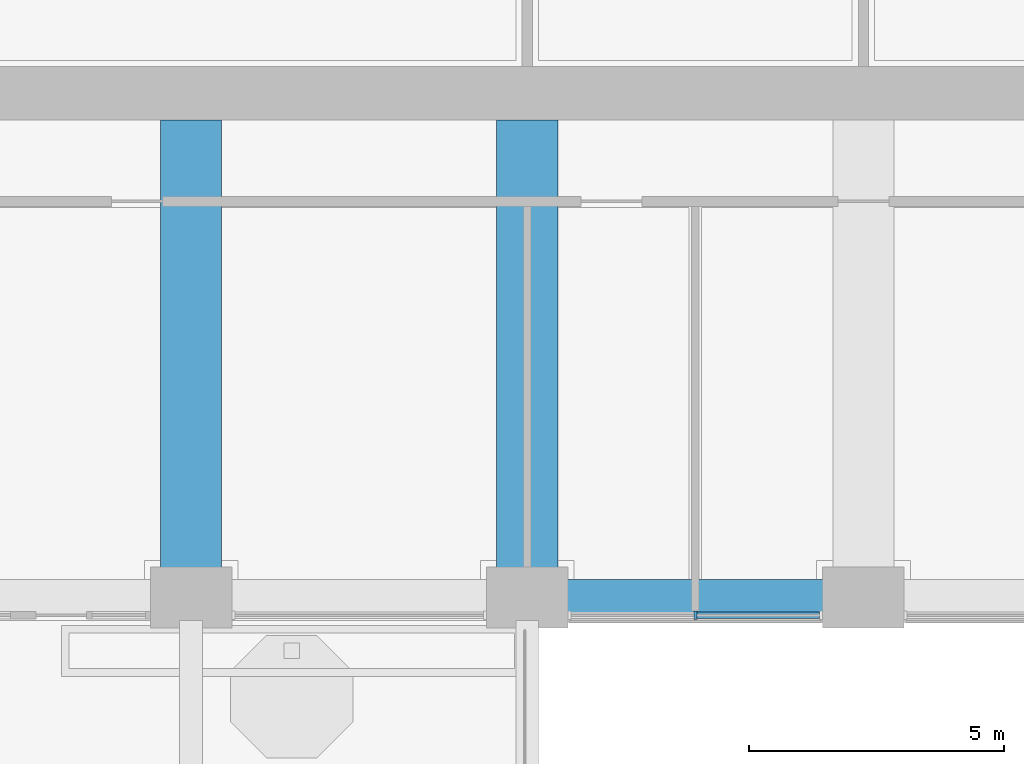
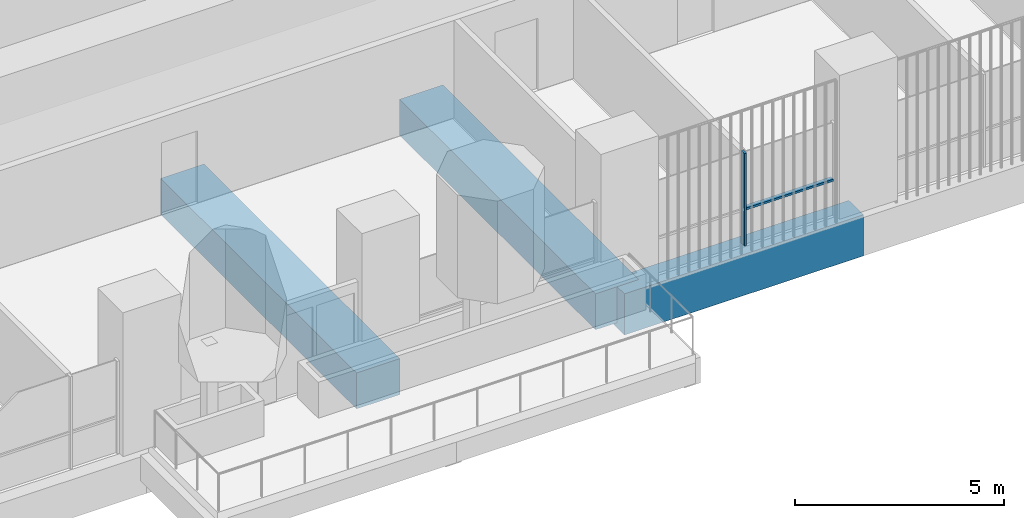
# One storey, part 3 of 20: 3 beams, 2 members, 1 element without a shape of its own.
"""IFC4 building model written with IfcOpenShell, lengths in metres."""

from ifc_helpers import new_model, si_unit, direction, frame, origin, origin_2d, place, context, subcontext, project, spatial, rectangle, extrude, material, material_profile, profile_set, type_object, element, aggregate, save


model = new_model("IFC4")

# Units and contexts
model_context = context("Model", 3, precision=1e-05, world=origin(), true_north=direction((0.0, 1.0)))
body_context = subcontext(model_context, "Body", "Model", "MODEL_VIEW")
ifc_project = project(units=[si_unit("LENGTHUNIT", "METRE"), si_unit("AREAUNIT", "SQUARE_METRE"), si_unit("VOLUMEUNIT", "CUBIC_METRE"), si_unit("PLANEANGLEUNIT", "RADIAN"), si_unit("MASSUNIT", "GRAM", prefix="KILO")], contexts=[model_context])

# Site, building, storey
site_placement = place(None, origin())
site = spatial("IfcSite", under=ifc_project, at=site_placement, CompositionType="ELEMENT")
building_placement = place(site_placement, origin())
building = spatial("IfcBuilding", under=site, at=building_placement, Name="Cobogo Forest Laboratory Tower", CompositionType="ELEMENT")
storey_placement = place(building_placement, frame((0.0, 0.0, 168.300048828125)))
storey = spatial("IfcBuildingStorey", under=building, at=storey_placement, Name="L38", CompositionType="ELEMENT", Elevation=168.300048828125)

# Beams
ifc_material_1 = material(Name="Concrete HA-40 (C40/50)", Category="concrete")
ifc_material_profile_1 = material_profile(ifc_material_1, rectangle(XDim=1.199951171875, YDim=1.050048828125, at=origin_2d()), Name="RC 1200x1050")
ifc_profile_set_1 = profile_set([ifc_material_profile_1], Name="Concrete HA-40 (C40/50)")
beam_type_1 = type_object("IfcBeamType", Name="Laboratory floor wide beam 1200x1050", PredefinedType="BEAM", material=ifc_profile_set_1)
for number, where, z_axis, x_axis, name in (
    (1, (19.800048828125, 12.675048828125, -0.824951171875), (0.0, -1.0, 0.0), (1.0, 0.0, 0.0), "RB1 R-4-S L38"),
    (2, (26.39990234375, 12.675048828125, -0.824951171875), (0.0, -1.0, 0.0), (1.0, 0.0, 0.0), "RB1 R-5-S L38"),
):
    element("IfcBeam", number, at=place(storey_placement, frame(where, z_axis=z_axis, x_axis=x_axis)), inside=storey, type_object=beam_type_1, Name=name, PredefinedType="BEAM", context=body_context, shape_type="SweptSolid", body=[
        extrude(rectangle(XDim=1.199951171875, YDim=1.050048828125, at=origin_2d()), origin(), (0.0, 0.0, 1.0), 9.375),
    ])

# Curtain wall, member
ifc_material_2 = material(Name="Aluminium curtain wall", Category="aluminium")
curtain_wall_type = type_object("IfcCurtainWallType", Name="CW-2 unitised curtain wall, solar control glazing, laboratory floors zones C and D", PredefinedType="USERDEFINED", material=ifc_material_2)
curtain_wall_placement = place(storey_placement, origin())
curtain_wall = element("IfcCurtainWall", 3, at=curtain_wall_placement, inside=storey, type_object=curtain_wall_type, Name="Curtain wall 04 L38", ObjectType="UNITISED CURTAIN WALL", PredefinedType="USERDEFINED")
ifc_material_3 = material(Name="Aluminium mullion", Category="aluminium")
ifc_material_profile_2 = material_profile(ifc_material_3, rectangle(XDim=0.06005859375, YDim=0.159912109375, at=origin_2d()), Name="AL 60x160")
ifc_profile_set_2 = profile_set([ifc_material_profile_2], Name="Aluminium mullion")
member_type_1 = type_object("IfcMemberType", Name="MU-1 aluminium mullion 60x160", PredefinedType="MULLION", material=ifc_profile_set_2)
member_1_placement = place(storey_placement, frame((29.699951171875, 2.949951171875, 0.0), z_axis=(0.0, 0.0, 1.0), x_axis=(1.0, 0.0, 0.0)))
member_1 = element("IfcMember", 4, at=member_1_placement, type_object=member_type_1, Name="CW-2 mullion 2", PredefinedType="MULLION", context=body_context, shape_type="SweptSolid", body=[
    extrude(rectangle(XDim=0.06005859375, YDim=0.159912109375, at=origin_2d()), origin(), (0.0, 0.0, 1.0), 2.699951171875),
])

# Beam
ifc_material_profile_3 = material_profile(ifc_material_1, rectangle(XDim=0.699951171875, YDim=1.199951171875, at=origin_2d()), Name="RC 700x1200")
ifc_profile_set_3 = profile_set([ifc_material_profile_3], Name="Concrete HA-40 (C40/50)")
beam_type_2 = type_object("IfcBeamType", Name="Perimeter edge beam 700x1200", PredefinedType="BEAM", material=ifc_profile_set_3)
beam_placement = place(storey_placement, frame((26.39990234375, 3.300048828125, -0.900146484375), z_axis=(1.0, 0.0, 0.0), x_axis=(0.0, 1.0, 0.0)))
element("IfcBeam", 5, at=beam_placement, inside=storey, type_object=beam_type_2, Name="EB1 E-S3 L38", PredefinedType="BEAM", context=body_context, shape_type="SweptSolid", body=[
    extrude(rectangle(XDim=0.699951171875, YDim=1.199951171875, at=origin_2d()), origin(), (0.0, 0.0, 1.0), 6.60009765625),
])

# Member
ifc_material_4 = material(Name="Aluminium transom", Category="aluminium")
ifc_material_profile_4 = material_profile(ifc_material_4, rectangle(XDim=0.1201171875, YDim=0.06005859375, at=origin_2d()), Name="AL 60x120")
ifc_profile_set_4 = profile_set([ifc_material_profile_4], Name="Aluminium transom")
member_type_2 = type_object("IfcMemberType", Name="TR-1 aluminium transom 60x120", PredefinedType="USERDEFINED", material=ifc_profile_set_4)
member_2_placement = place(storey_placement, frame((29.72998046875, 2.949951171875, 1.050048828125), z_axis=(1.0, 0.0, 0.0), x_axis=(0.0, 1.0, 0.0)))
member_2 = element("IfcMember", 6, at=member_2_placement, type_object=member_type_2, Name="CW-2 transom 2.1", ObjectType="TRANSOM", PredefinedType="USERDEFINED", context=body_context, shape_type="SweptSolid", body=[
    extrude(rectangle(XDim=0.1201171875, YDim=0.06005859375, at=origin_2d()), origin(), (0.0, 0.0, 1.0), 2.409912109375),
])

aggregate(curtain_wall, [member_1, member_2])

save(model, "model.ifc")
